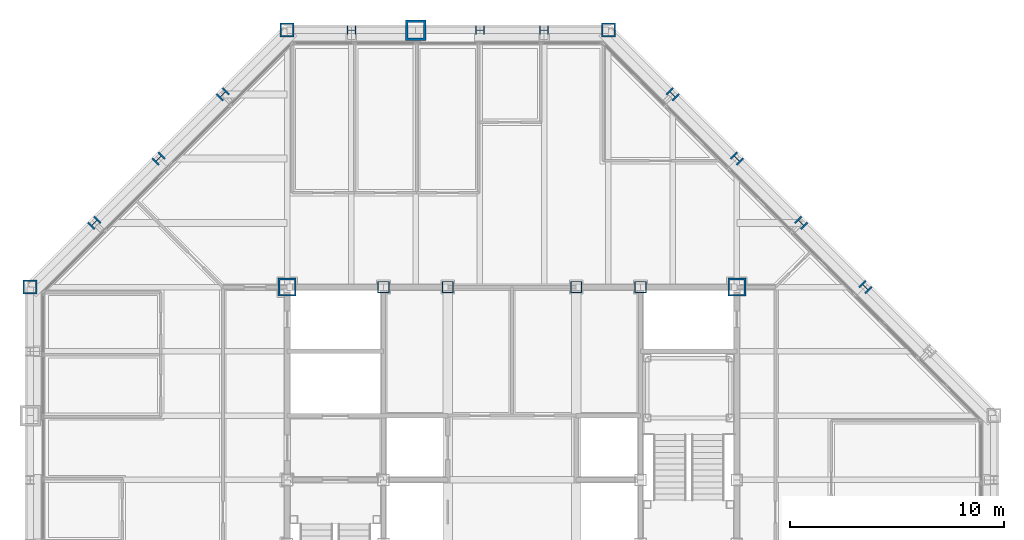
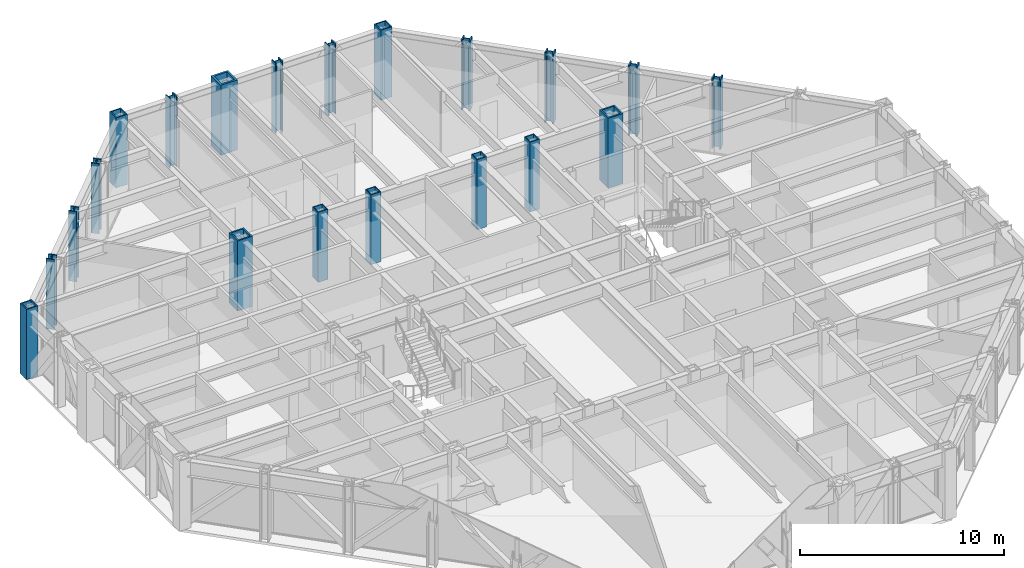
# One storey, part 4 of 16: 20 columns.
"""IFC4 building model written with IfcOpenShell, lengths in metres."""

from ifc_helpers import new_model, si_unit, direction, frame, origin, origin_2d, place, context, subcontext, project, spatial, hollow_rectangle, i_section, extrude, material, material_profile, profile_set, type_object, element, save


model = new_model("IFC4")

# Units and contexts
model_context = context("Model", 3, precision=1e-05, world=origin(), true_north=direction((0.0, 1.0)))
body_context = subcontext(model_context, "Body", "Model", "MODEL_VIEW")
ifc_project = project(units=[si_unit("LENGTHUNIT", "METRE"), si_unit("AREAUNIT", "SQUARE_METRE"), si_unit("VOLUMEUNIT", "CUBIC_METRE"), si_unit("PLANEANGLEUNIT", "RADIAN"), si_unit("MASSUNIT", "GRAM", prefix="KILO")], contexts=[model_context])

# Site, building, storey
site_placement = place(None, origin())
site = spatial("IfcSite", under=ifc_project, at=site_placement, CompositionType="ELEMENT")
building_placement = place(site_placement, origin())
building = spatial("IfcBuilding", under=site, at=building_placement, Name="Chuquiago Exchange Tower", CompositionType="ELEMENT")
storey_placement = place(building_placement, frame((0.0, 0.0, 234.89990234375)))
storey = spatial("IfcBuildingStorey", under=building, at=storey_placement, Name="L52", CompositionType="ELEMENT", Elevation=234.89990234375)

# Columns
ifc_material_1 = material(Name="Steel ASTM A992", Category="steel")
ifc_material_profile_1 = material_profile(ifc_material_1, i_section(OverallWidth=0.408935546875, OverallDepth=0.424072265625, WebThickness=0.03271484375, FlangeThickness=0.052490234375, at=origin_2d()), Name="W14X283")
ifc_profile_set_1 = profile_set([ifc_material_profile_1], Name="Steel ASTM A992")
column_type_1 = type_object("IfcColumnType", Name="C8 W14X283", PredefinedType="COLUMN", material=ifc_profile_set_1)
for number, where, z_axis, x_axis, name in (
    (1, (24.0, 45.0, 0.0), (0.0, 0.0, 1.0), (0.0, 1.0, 0.0), "COL-L52-24_45"),
    (2, (21.0, 45.0, 0.0), (0.0, 0.0, 1.0), (0.0, 1.0, 0.0), "COL-L52-21_45"),
    (3, (15.0, 45.0, 0.0), (0.0, 0.0, 1.0), (0.0, 1.0, 0.0), "COL-L52-15_45"),
):
    element("IfcColumn", number, at=place(storey_placement, frame(where, z_axis=z_axis, x_axis=x_axis)), inside=storey, type_object=column_type_1, Name=name, PredefinedType="COLUMN", context=body_context, shape_type="SweptSolid", body=[
        extrude(i_section(OverallWidth=0.408935546875, OverallDepth=0.424072265625, WebThickness=0.03271484375, FlangeThickness=0.052490234375, at=origin_2d()), origin(), (0.0, 0.0, 1.0), 4.2001953125),
    ])
ifc_material_2 = material(Name="Steel ASTM A572 Grade 50", Category="steel")
ifc_material_profile_2 = material_profile(ifc_material_2, hollow_rectangle(XDim=0.85009765625, YDim=0.85009765625, WallThickness=0.0849609375, at=origin_2d()), Name="BOX850X850X85")
ifc_profile_set_2 = profile_set([ifc_material_profile_2], Name="Steel ASTM A572 Grade 50")
column_type_2 = type_object("IfcColumnType", Name="CC6 BOX850X850X85", PredefinedType="COLUMN", material=ifc_profile_set_2)
for number, where, z_axis, x_axis, name in (
    (4, (12.0, 33.0, 0.0), (0.0, 0.0, 1.0), (1.0, 0.0, 0.0), "CCOL-L52-12_33"),
    (5, (33.0, 33.0, 0.0), (0.0, 0.0, 1.0), (1.0, 0.0, 0.0), "CCOL-L52-33_33"),
):
    element("IfcColumn", number, at=place(storey_placement, frame(where, z_axis=z_axis, x_axis=x_axis)), inside=storey, type_object=column_type_2, Name=name, PredefinedType="COLUMN", context=body_context, shape_type="SweptSolid", body=[
        extrude(hollow_rectangle(XDim=0.85009765625, YDim=0.85009765625, WallThickness=0.0849609375, at=origin_2d()), origin(), (0.0, 0.0, 1.0), 4.2001953125),
    ])
ifc_material_3 = material(Name="Steel ASTM A572 Grade 50", Category="steel")
ifc_material_profile_3 = material_profile(ifc_material_3, hollow_rectangle(XDim=0.550048828125, YDim=0.550048828125, WallThickness=0.044921875, at=origin_2d()), Name="BOX550X550X45")
ifc_profile_set_3 = profile_set([ifc_material_profile_3], Name="Steel ASTM A572 Grade 50")
column_type_3 = type_object("IfcColumnType", Name="CC8 BOX550X550X45", PredefinedType="COLUMN", material=ifc_profile_set_3)
for number, where, z_axis, x_axis, name in (
    (6, (16.5, 33.0, 0.0), (0.0, 0.0, 1.0), (1.0, 0.0, 0.0), "CCOL-L52-16.5_33"),
    (7, (19.5, 33.0, 0.0), (0.0, 0.0, 1.0), (1.0, 0.0, 0.0), "CCOL-L52-19.5_33"),
    (8, (25.5, 33.0, 0.0), (0.0, 0.0, 1.0), (1.0, 0.0, 0.0), "CCOL-L52-25.5_33"),
    (9, (28.5, 33.0, 0.0), (0.0, 0.0, 1.0), (1.0, 0.0, 0.0), "CCOL-L52-28.5_33"),
):
    element("IfcColumn", number, at=place(storey_placement, frame(where, z_axis=z_axis, x_axis=x_axis)), inside=storey, type_object=column_type_3, Name=name, PredefinedType="COLUMN", context=body_context, shape_type="SweptSolid", body=[
        extrude(hollow_rectangle(XDim=0.550048828125, YDim=0.550048828125, WallThickness=0.044921875, at=origin_2d()), origin(), (0.0, 0.0, 1.0), 4.2001953125),
    ])
ifc_material_4 = material(Name="Steel ASTM A992", Category="steel")
ifc_material_profile_4 = material_profile(ifc_material_4, i_section(OverallWidth=0.421630859375, OverallDepth=0.46484375, WebThickness=0.044921875, FlangeThickness=0.072509765625, at=origin_2d()), Name="W14X398")
ifc_profile_set_4 = profile_set([ifc_material_profile_4], Name="Steel ASTM A992")
column_type_4 = type_object("IfcColumnType", Name="CK7 W14X398", PredefinedType="COLUMN", material=ifc_profile_set_4)
for number, where, z_axis, x_axis, name in (
    (10, (39.0, 33.0, 0.0), (0.0, 0.0, 1.0), (0.707106781187, 0.707106781187, 0.0), "COL-L52-39_33"),
    (11, (36.0, 36.0, 0.0), (0.0, 0.0, 1.0), (0.707106781187, 0.707106781187, 0.0), "COL-L52-36_36"),
    (12, (33.0, 39.0, 0.0), (0.0, 0.0, 1.0), (0.707106781187, 0.707106781187, 0.0), "COL-L52-33_39"),
    (13, (30.0, 42.0, 0.0), (0.0, 0.0, 1.0), (0.707106781187, 0.707106781187, 0.0), "COL-L52-30_42"),
    (14, (9.0, 42.0, 0.0), (0.0, 0.0, 1.0), (-0.707106781187, 0.707106781187, 0.0), "COL-L52-9_42"),
    (15, (6.0, 39.0, 0.0), (0.0, 0.0, 1.0), (-0.707106781187, 0.707106781187, 0.0), "COL-L52-6_39"),
    (16, (3.0, 36.0, 0.0), (0.0, 0.0, 1.0), (-0.707106781187, 0.707106781187, 0.0), "COL-L52-3_36"),
):
    element("IfcColumn", number, at=place(storey_placement, frame(where, z_axis=z_axis, x_axis=x_axis)), inside=storey, type_object=column_type_4, Name=name, PredefinedType="COLUMN", context=body_context, shape_type="SweptSolid", body=[
        extrude(i_section(OverallWidth=0.421630859375, OverallDepth=0.46484375, WebThickness=0.044921875, FlangeThickness=0.072509765625, at=origin_2d()), origin(), (0.0, 0.0, 1.0), 4.2001953125),
    ])
ifc_material_5 = material(Name="Steel ASTM A572 Grade 50", Category="steel")
ifc_material_profile_5 = material_profile(ifc_material_5, hollow_rectangle(XDim=0.64990234375, YDim=0.64990234375, WallThickness=0.06494140625, at=origin_2d()), Name="BOX650X650X65")
ifc_profile_set_5 = profile_set([ifc_material_profile_5], Name="Steel ASTM A572 Grade 50")
column_type_5 = type_object("IfcColumnType", Name="CN2 BOX650X650X65", PredefinedType="COLUMN", material=ifc_profile_set_5)
for number, where, z_axis, x_axis, name in (
    (17, (27.0, 45.0, 0.0), (0.0, 0.0, 1.0), (0.0, 1.0, 0.0), "COL-L52-27_45"),
    (18, (12.0, 45.0, 0.0), (0.0, 0.0, 1.0), (0.0, 1.0, 0.0), "COL-L52-12_45"),
    (19, (0.0, 33.0, 0.0), (0.0, 0.0, 1.0), (-1.0, 0.0, 0.0), "COL-L52-0_33"),
):
    element("IfcColumn", number, at=place(storey_placement, frame(where, z_axis=z_axis, x_axis=x_axis)), inside=storey, type_object=column_type_5, Name=name, PredefinedType="COLUMN", context=body_context, shape_type="SweptSolid", body=[
        extrude(hollow_rectangle(XDim=0.64990234375, YDim=0.64990234375, WallThickness=0.06494140625, at=origin_2d()), origin(), (0.0, 0.0, 1.0), 4.2001953125),
    ])
ifc_material_6 = material(Name="Steel ASTM A572 Grade 42", Category="steel")
ifc_material_profile_6 = material_profile(ifc_material_6, hollow_rectangle(XDim=0.949951171875, YDim=0.949951171875, WallThickness=0.110107421875, at=origin_2d()), Name="BOX950X950X110")
ifc_profile_set_6 = profile_set([ifc_material_profile_6], Name="Steel ASTM A572 Grade 42")
column_type_6 = type_object("IfcColumnType", Name="CT1 BOX950X950X110", PredefinedType="COLUMN", material=ifc_profile_set_6)
column_placement = place(storey_placement, frame((18.0, 45.0, 0.0), z_axis=(0.0, 0.0, 1.0), x_axis=(0.0, 1.0, 0.0)))
element("IfcColumn", 20, at=column_placement, inside=storey, type_object=column_type_6, Name="COL-L52-18_45", PredefinedType="COLUMN", context=body_context, shape_type="SweptSolid", body=[
    extrude(hollow_rectangle(XDim=0.949951171875, YDim=0.949951171875, WallThickness=0.110107421875, at=origin_2d()), origin(), (0.0, 0.0, 1.0), 4.2001953125),
])

save(model, "model.ifc")
